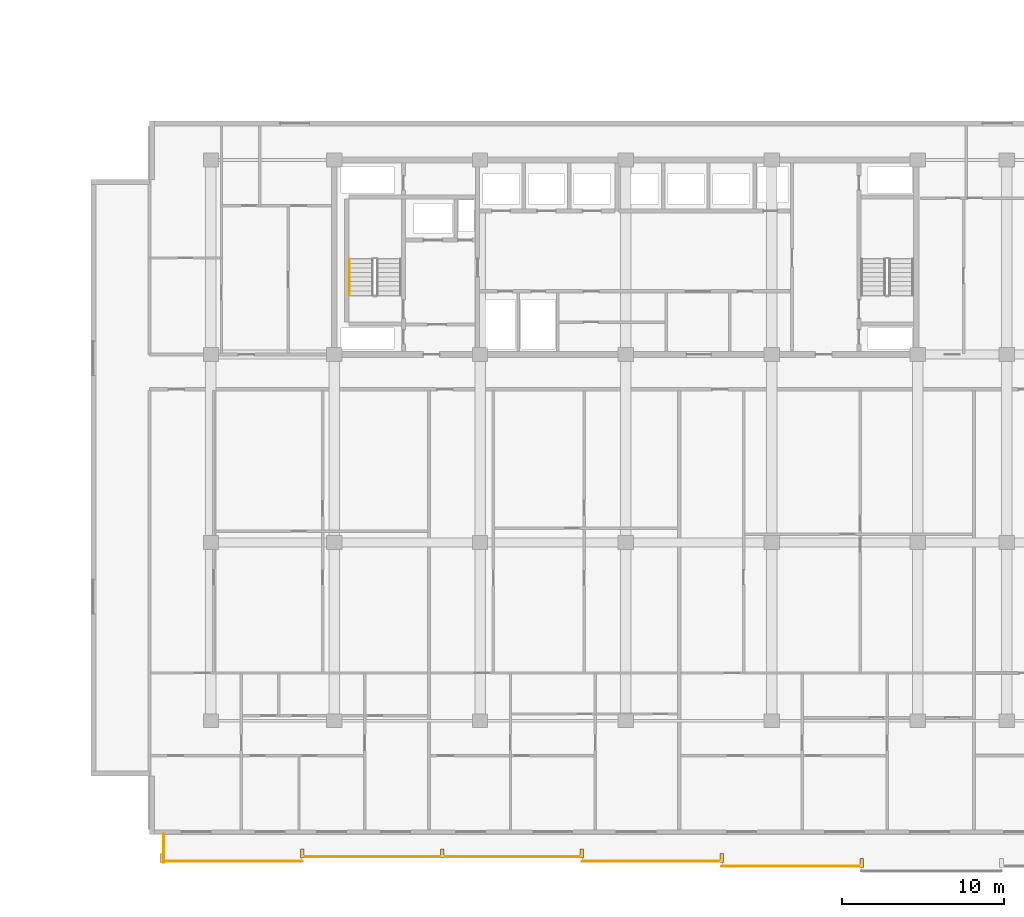
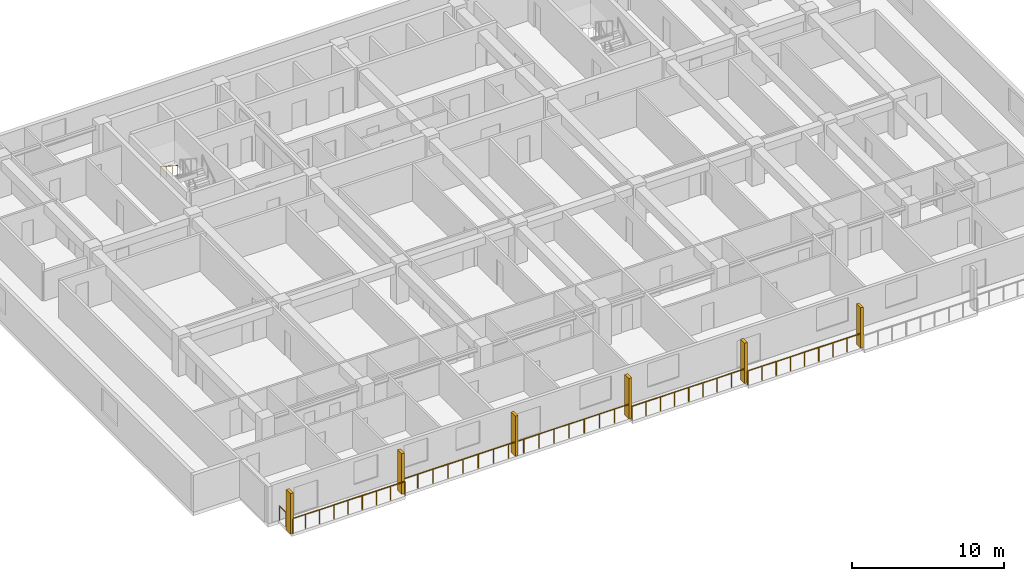
# One storey, part 19 of 23: 6 railings, 6 shading devices.
"""IFC4 building model written with IfcOpenShell, lengths in metres."""

from ifc_helpers import new_model, si_unit, direction, frame, origin, origin_2d, place, context, subcontext, project, spatial, rectangle, circle, extrude, material, type_object, element, save


model = new_model("IFC4")

# Units and contexts
model_context = context("Model", 3, precision=1e-05, world=origin(), true_north=direction((0.0, 1.0)))
body_context = subcontext(model_context, "Body", "Model", "MODEL_VIEW")
ifc_project = project(units=[si_unit("LENGTHUNIT", "METRE"), si_unit("AREAUNIT", "SQUARE_METRE"), si_unit("VOLUMEUNIT", "CUBIC_METRE"), si_unit("PLANEANGLEUNIT", "RADIAN"), si_unit("MASSUNIT", "GRAM", prefix="KILO")], contexts=[model_context])

# Site, building, storey
site_placement = place(None, origin())
site = spatial("IfcSite", under=ifc_project, at=site_placement, CompositionType="ELEMENT")
building_placement = place(site_placement, origin())
building = spatial("IfcBuilding", under=site, at=building_placement, Name="Korimba Cascade Residences", CompositionType="ELEMENT")
storey_placement = place(building_placement, frame((0.0, 0.0, 50.0)))
storey = spatial("IfcBuildingStorey", under=building, at=storey_placement, Name="L13", CompositionType="ELEMENT", Elevation=50.0)

# Railings
ifc_material_1 = material(Name="Laminated Glass and Bronze Balustrade", Category="glass")
railing_type_1 = type_object("IfcRailingType", Name="RLG-LOG-1150", PredefinedType="BALUSTRADE", material=ifc_material_1)
railing_1_placement = place(storey_placement, frame((71.5, -12.8701171875, 0.0)))
element("IfcRailing", 1, at=railing_1_placement, inside=storey, type_object=railing_type_1, Name="L13 Perimeter Guardrail RLG-L13-T2-LOG-01", PredefinedType="BALUSTRADE", context=body_context, shape_type="SweptSolid", body=[
    extrude(circle(Radius=0.02392578125, at=origin_2d()), frame((0.0, 0.0, 1.1259765625), z_axis=(1.0, 0.0, 0.0), x_axis=(0.0, 1.0, 0.0)), (0.0, 0.0, 1.0), 8.628662109375),
    extrude(circle(Radius=0.02099609375, at=origin_2d()), origin(), (0.0, 0.0, 1.0), 1.101806640625),
    extrude(circle(Radius=0.02099609375, at=origin_2d()), frame((1.07861328125, 0.0, 0.0)), (0.0, 0.0, 1.0), 1.101806640625),
    extrude(circle(Radius=0.02099609375, at=origin_2d()), frame((2.1572265625, 0.0, 0.0)), (0.0, 0.0, 1.0), 1.101806640625),
    extrude(circle(Radius=0.02099609375, at=origin_2d()), frame((3.23583984375, 0.0, 0.0)), (0.0, 0.0, 1.0), 1.101806640625),
    extrude(circle(Radius=0.02099609375, at=origin_2d()), frame((4.314453125, 0.0, 0.0)), (0.0, 0.0, 1.0), 1.101806640625),
    extrude(circle(Radius=0.02099609375, at=origin_2d()), frame((5.392822265625, 0.0, 0.0)), (0.0, 0.0, 1.0), 1.101806640625),
    extrude(circle(Radius=0.02099609375, at=origin_2d()), frame((6.471435546875, 0.0, 0.0)), (0.0, 0.0, 1.0), 1.101806640625),
    extrude(circle(Radius=0.02099609375, at=origin_2d()), frame((7.550048828125, 0.0, 0.0)), (0.0, 0.0, 1.0), 1.101806640625),
    extrude(circle(Radius=0.02099609375, at=origin_2d()), frame((8.628662109375, 0.0, 0.0)), (0.0, 0.0, 1.0), 1.101806640625),
])
railing_2_placement = place(storey_placement, frame((80.128662109375, -12.570068359375, 0.0)))
element("IfcRailing", 2, at=railing_2_placement, inside=storey, type_object=railing_type_1, Name="L13 Perimeter Guardrail RLG-L13-T2-LOG-02", PredefinedType="BALUSTRADE", context=body_context, shape_type="SweptSolid", body=[
    extrude(circle(Radius=0.02392578125, at=origin_2d()), frame((0.0, 0.0, 1.1259765625), z_axis=(1.0, 0.0, 0.0), x_axis=(0.0, 1.0, 0.0)), (0.0, 0.0, 1.0), 17.257080078125),
    extrude(circle(Radius=0.02099609375, at=origin_2d()), origin(), (0.0, 0.0, 1.0), 1.101806640625),
    extrude(circle(Radius=0.02099609375, at=origin_2d()), frame((1.150390625, 0.0, 0.0)), (0.0, 0.0, 1.0), 1.101806640625),
    extrude(circle(Radius=0.02099609375, at=origin_2d()), frame((2.301025390625, 0.0, 0.0)), (0.0, 0.0, 1.0), 1.101806640625),
    extrude(circle(Radius=0.02099609375, at=origin_2d()), frame((3.451416015625, 0.0, 0.0)), (0.0, 0.0, 1.0), 1.101806640625),
    extrude(circle(Radius=0.02099609375, at=origin_2d()), frame((4.601806640625, 0.0, 0.0)), (0.0, 0.0, 1.0), 1.101806640625),
    extrude(circle(Radius=0.02099609375, at=origin_2d()), frame((5.75244140625, 0.0, 0.0)), (0.0, 0.0, 1.0), 1.101806640625),
    extrude(circle(Radius=0.02099609375, at=origin_2d()), frame((6.90283203125, 0.0, 0.0)), (0.0, 0.0, 1.0), 1.101806640625),
    extrude(circle(Radius=0.02099609375, at=origin_2d()), frame((8.05322265625, 0.0, 0.0)), (0.0, 0.0, 1.0), 1.101806640625),
    extrude(circle(Radius=0.02099609375, at=origin_2d()), frame((9.203857421875, 0.0, 0.0)), (0.0, 0.0, 1.0), 1.101806640625),
    extrude(circle(Radius=0.02099609375, at=origin_2d()), frame((10.354248046875, 0.0, 0.0)), (0.0, 0.0, 1.0), 1.101806640625),
    extrude(circle(Radius=0.02099609375, at=origin_2d()), frame((11.504638671875, 0.0, 0.0)), (0.0, 0.0, 1.0), 1.101806640625),
    extrude(circle(Radius=0.02099609375, at=origin_2d()), frame((12.6552734375, 0.0, 0.0)), (0.0, 0.0, 1.0), 1.101806640625),
    extrude(circle(Radius=0.02099609375, at=origin_2d()), frame((13.8056640625, 0.0, 0.0)), (0.0, 0.0, 1.0), 1.101806640625),
    extrude(circle(Radius=0.02099609375, at=origin_2d()), frame((14.9560546875, 0.0, 0.0)), (0.0, 0.0, 1.0), 1.101806640625),
    extrude(circle(Radius=0.02099609375, at=origin_2d()), frame((16.106689453125, 0.0, 0.0)), (0.0, 0.0, 1.0), 1.101806640625),
    extrude(circle(Radius=0.02099609375, at=origin_2d()), frame((17.257080078125, 0.0, 0.0)), (0.0, 0.0, 1.0), 1.101806640625),
])
railing_3_placement = place(storey_placement, frame((97.3857421875, -12.8701171875, 0.0)))
element("IfcRailing", 3, at=railing_3_placement, inside=storey, type_object=railing_type_1, Name="L13 Perimeter Guardrail RLG-L13-T2-LOG-03", PredefinedType="BALUSTRADE", context=body_context, shape_type="SweptSolid", body=[
    extrude(circle(Radius=0.02392578125, at=origin_2d()), frame((0.0, 0.0, 1.1259765625), z_axis=(1.0, 0.0, 0.0), x_axis=(0.0, 1.0, 0.0)), (0.0, 0.0, 1.0), 8.628662109375),
    extrude(circle(Radius=0.02099609375, at=origin_2d()), origin(), (0.0, 0.0, 1.0), 1.101806640625),
    extrude(circle(Radius=0.02099609375, at=origin_2d()), frame((1.07861328125, 0.0, 0.0)), (0.0, 0.0, 1.0), 1.101806640625),
    extrude(circle(Radius=0.02099609375, at=origin_2d()), frame((2.1572265625, 0.0, 0.0)), (0.0, 0.0, 1.0), 1.101806640625),
    extrude(circle(Radius=0.02099609375, at=origin_2d()), frame((3.23583984375, 0.0, 0.0)), (0.0, 0.0, 1.0), 1.101806640625),
    extrude(circle(Radius=0.02099609375, at=origin_2d()), frame((4.314453125, 0.0, 0.0)), (0.0, 0.0, 1.0), 1.101806640625),
    extrude(circle(Radius=0.02099609375, at=origin_2d()), frame((5.392822265625, 0.0, 0.0)), (0.0, 0.0, 1.0), 1.101806640625),
    extrude(circle(Radius=0.02099609375, at=origin_2d()), frame((6.471435546875, 0.0, 0.0)), (0.0, 0.0, 1.0), 1.101806640625),
    extrude(circle(Radius=0.02099609375, at=origin_2d()), frame((7.550048828125, 0.0, 0.0)), (0.0, 0.0, 1.0), 1.101806640625),
    extrude(circle(Radius=0.02099609375, at=origin_2d()), frame((8.628662109375, 0.0, 0.0)), (0.0, 0.0, 1.0), 1.101806640625),
])
railing_4_placement = place(storey_placement, frame((106.014404296875, -13.169921875, 0.0)))
element("IfcRailing", 4, at=railing_4_placement, inside=storey, type_object=railing_type_1, Name="L13 Perimeter Guardrail RLG-L13-T2-LOG-04", PredefinedType="BALUSTRADE", context=body_context, shape_type="SweptSolid", body=[
    extrude(circle(Radius=0.02392578125, at=origin_2d()), frame((0.0, 0.0, 1.1259765625), z_axis=(1.0, 0.0, 0.0), x_axis=(0.0, 1.0, 0.0)), (0.0, 0.0, 1.0), 8.62841796875),
    extrude(circle(Radius=0.02099609375, at=origin_2d()), origin(), (0.0, 0.0, 1.0), 1.101806640625),
    extrude(circle(Radius=0.02099609375, at=origin_2d()), frame((1.07861328125, 0.0, 0.0)), (0.0, 0.0, 1.0), 1.101806640625),
    extrude(circle(Radius=0.02099609375, at=origin_2d()), frame((2.1572265625, 0.0, 0.0)), (0.0, 0.0, 1.0), 1.101806640625),
    extrude(circle(Radius=0.02099609375, at=origin_2d()), frame((3.235595703125, 0.0, 0.0)), (0.0, 0.0, 1.0), 1.101806640625),
    extrude(circle(Radius=0.02099609375, at=origin_2d()), frame((4.314208984375, 0.0, 0.0)), (0.0, 0.0, 1.0), 1.101806640625),
    extrude(circle(Radius=0.02099609375, at=origin_2d()), frame((5.392822265625, 0.0, 0.0)), (0.0, 0.0, 1.0), 1.101806640625),
    extrude(circle(Radius=0.02099609375, at=origin_2d()), frame((6.47119140625, 0.0, 0.0)), (0.0, 0.0, 1.0), 1.101806640625),
    extrude(circle(Radius=0.02099609375, at=origin_2d()), frame((7.5498046875, 0.0, 0.0)), (0.0, 0.0, 1.0), 1.101806640625),
    extrude(circle(Radius=0.02099609375, at=origin_2d()), frame((8.62841796875, 0.0, 0.0)), (0.0, 0.0, 1.0), 1.101806640625),
])
railing_5_placement = place(storey_placement, frame((71.580078125, -11.199951171875, 0.0)))
element("IfcRailing", 5, at=railing_5_placement, inside=storey, type_object=railing_type_1, Name="L13 Perimeter Guardrail RLG-L13-T2-LOG-08", PredefinedType="BALUSTRADE", context=body_context, shape_type="SweptSolid", body=[
    extrude(circle(Radius=0.02392578125, at=origin_2d()), frame((0.0, 0.0, 1.1259765625), z_axis=(0.0, -1.0, 0.0), x_axis=(1.0, 0.0, 0.0)), (0.0, 0.0, 1.0), 1.75),
    extrude(circle(Radius=0.02099609375, at=origin_2d()), origin(), (0.0, 0.0, 1.0), 1.101806640625),
    extrude(circle(Radius=0.02099609375, at=origin_2d()), frame((0.0, -0.875, 0.0)), (0.0, 0.0, 1.0), 1.101806640625),
    extrude(circle(Radius=0.02099609375, at=origin_2d()), frame((0.0, -1.75, 0.0)), (0.0, 0.0, 1.0), 1.101806640625),
])
ifc_material_2 = material(Name="Brushed Stainless Steel Handrail", Category="steel")
railing_type_2 = type_object("IfcRailingType", Name="RLG-ST-HR900", PredefinedType="HANDRAIL", material=ifc_material_2)
railing_6_placement = place(storey_placement, frame((83.050048828125, 24.2900390625, 1.989990234375)))
element("IfcRailing", 6, at=railing_6_placement, inside=storey, type_object=railing_type_2, Name="L13 ST-E1 stair handrail 2", PredefinedType="HANDRAIL", context=body_context, shape_type="SweptSolid", body=[
    extrude(circle(Radius=0.02392578125, at=origin_2d()), frame((0.0, 0.0, 0.8759765625), z_axis=(0.0, -0.840436612492, 0.541909863706), x_axis=(1.0, 0.0, 0.0)), (0.0, 0.0, 1.0), 2.665283203125),
    extrude(circle(Radius=0.02099609375, at=origin_2d()), origin(), (0.0, 0.0, 1.0), 0.851806640625),
    extrude(circle(Radius=0.02099609375, at=origin_2d()), frame((0.0, -0.74658203125, 0.4814453125)), (0.0, 0.0, 1.0), 0.851806640625),
    extrude(circle(Radius=0.02099609375, at=origin_2d()), frame((0.0, -1.493408203125, 0.962890625)), (0.0, 0.0, 1.0), 0.851806640625),
    extrude(circle(Radius=0.02099609375, at=origin_2d()), frame((0.0, -2.239990234375, 1.4443359375)), (0.0, 0.0, 1.0), 0.851806640625),
])

# Shading devices
ifc_material_3 = material(Name="Honed Sandstone Precast Fin", Category="masonry")
shading_device_type = type_object("IfcShadingDeviceType", Name="SHD-FIN-550", PredefinedType="USERDEFINED", material=ifc_material_3)
for number, where, z_axis, x_axis, name in (
    (7, (71.5, -12.675048828125, 0.0), (0.0, 0.0, 1.0), (1.0, 0.0, 0.0), "L13 T2 Warm-Stone Loggia Fin 1"),
    (8, (80.128662109375, -12.375, 0.0), (0.0, 0.0, 1.0), (1.0, 0.0, 0.0), "L13 T2 Warm-Stone Loggia Fin 2"),
    (9, (88.757080078125, -12.375, 0.0), (0.0, 0.0, 1.0), (1.0, 0.0, 0.0), "L13 T2 Warm-Stone Loggia Fin 3"),
    (10, (97.3857421875, -12.375, 0.0), (0.0, 0.0, 1.0), (1.0, 0.0, 0.0), "L13 T2 Warm-Stone Loggia Fin 4"),
    (11, (106.014404296875, -12.675048828125, 0.0), (0.0, 0.0, 1.0), (1.0, 0.0, 0.0), "L13 T2 Warm-Stone Loggia Fin 5"),
    (12, (114.642822265625, -12.97509765625, 0.0), (0.0, 0.0, 1.0), (1.0, 0.0, 0.0), "L13 T2 Warm-Stone Loggia Fin 6"),
):
    element("IfcShadingDevice", number, at=place(storey_placement, frame(where, z_axis=z_axis, x_axis=x_axis)), inside=storey, type_object=shading_device_type, Name=name, ObjectType="FIN", PredefinedType="USERDEFINED", context=body_context, shape_type="SweptSolid", body=[
        extrude(rectangle(XDim=0.219970703125, YDim=0.550048828125, at=origin_2d()), origin(), (0.0, 0.0, 1.0), 3.25),
    ])

save(model, "model.ifc")
